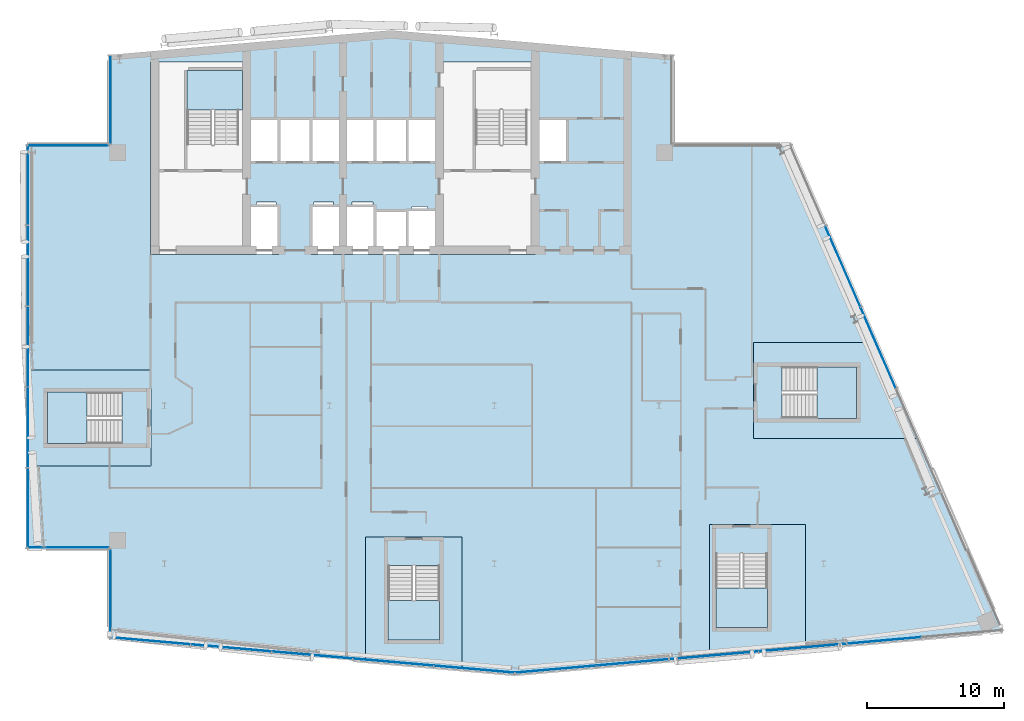
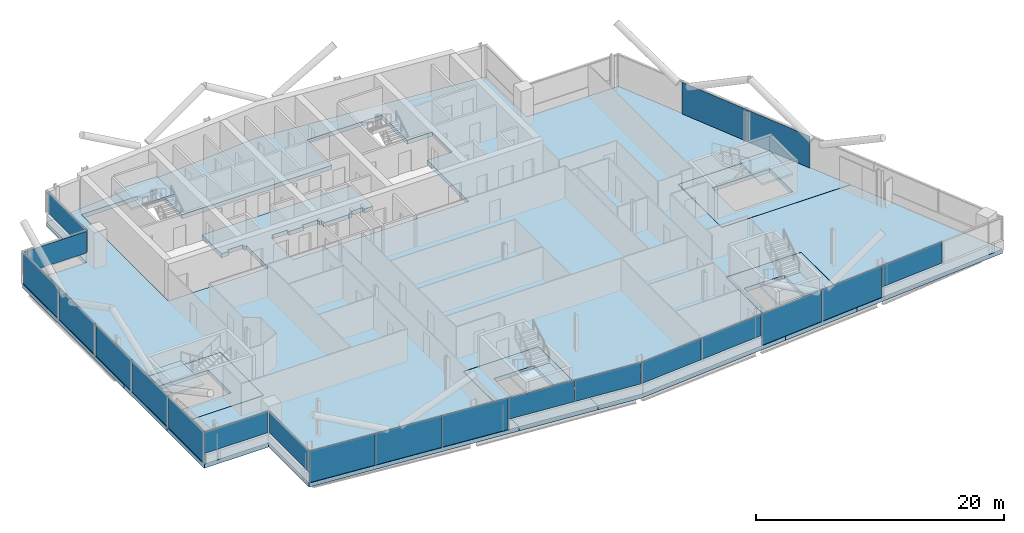
# One storey, part 13 of 27: 21 plates, 10 slabs, 13 elements without a shape of their own.
"""IFC4 building model written with IfcOpenShell, lengths in metres."""

from ifc_helpers import new_model, si_unit, direction, frame, origin, origin_2d, place, context, subcontext, project, spatial, polyline, rectangle, outline, extrude, material, layer, layer_set, type_object, element, aggregate, save


model = new_model("IFC4")

# Units and contexts
model_context = context("Model", 3, precision=1e-05, world=origin(), true_north=direction((0.0, 1.0)))
body_context = subcontext(model_context, "Body", "Model", "MODEL_VIEW")
ifc_project = project(units=[si_unit("LENGTHUNIT", "METRE"), si_unit("AREAUNIT", "SQUARE_METRE"), si_unit("VOLUMEUNIT", "CUBIC_METRE"), si_unit("PLANEANGLEUNIT", "RADIAN"), si_unit("MASSUNIT", "GRAM", prefix="KILO")], contexts=[model_context])

# Site, building, storey
site_placement = place(None, origin())
site = spatial("IfcSite", under=ifc_project, at=site_placement, CompositionType="ELEMENT")
building_placement = place(site_placement, origin())
building = spatial("IfcBuilding", under=site, at=building_placement, Name="Wharfspan Tower", CompositionType="ELEMENT")
storey_placement = place(building_placement, frame((0.0, 0.0, 228.699951)))
storey = spatial("IfcBuildingStorey", under=building, at=storey_placement, Name="L57", CompositionType="ELEMENT", Elevation=228.699951)

# Curtain wall, plates
ifc_material_1 = material(Name="Aluminium 6063-T6", Category="aluminium")
curtain_wall_type_1 = type_object("IfcCurtainWallType", Name="CURTAIN WALL FACETED FRONT", PredefinedType="NOTDEFINED", material=ifc_material_1)
curtain_wall_1_placement = place(storey_placement, origin())
curtain_wall_1 = element("IfcCurtainWall", 1, at=curtain_wall_1_placement, inside=storey, type_object=curtain_wall_type_1, Name="Curtain wall S1", PredefinedType="NOTDEFINED")
ifc_material_2 = material(Name="Glass clear low-iron double glazing", Category="glass")
ifc_layer_1 = layer(ifc_material_2, 0.040039)
ifc_layer_set_1 = layer_set([ifc_layer_1], Name="Glass clear low-iron double glazing")
plate_type_1 = type_object("IfcPlateType", Name="GLASS PANEL FACETED FRONT 40", PredefinedType="CURTAIN_PANEL", material=ifc_layer_set_1)
plate_1_placement = place(storey_placement, frame((40.655273, 4.328125, 1.0), z_axis=(0.0, 0.0, 1.0), x_axis=(0.996197, -0.087156, 0.0)))
plate_1 = element("IfcPlate", 2, at=plate_1_placement, type_object=plate_type_1, Name="Curtain wall S1 panel 4", PredefinedType="CURTAIN_PANEL", context=body_context, shape_type="SweptSolid", body=[
    extrude(rectangle(XDim=5.862549, YDim=0.040039, at=origin_2d()), origin(), (0.0, 0.0, 1.0), 2.120117),
])
plate_2_placement = place(storey_placement, frame((46.540283, 3.813232, 1.0), z_axis=(0.0, 0.0, 1.0), x_axis=(0.996197, -0.087156, 0.0)))
plate_2 = element("IfcPlate", 3, at=plate_2_placement, type_object=plate_type_1, Name="Curtain wall S1 panel 5", PredefinedType="CURTAIN_PANEL", context=body_context, shape_type="SweptSolid", body=[
    extrude(rectangle(XDim=5.83252, YDim=0.040039, at=origin_2d()), origin(), (0.0, 0.0, 1.0), 2.120117),
])

curtain_wall_2_placement = place(storey_placement, origin())
curtain_wall_2 = element("IfcCurtainWall", 4, at=curtain_wall_2_placement, inside=storey, type_object=curtain_wall_type_1, Name="Curtain wall S2", PredefinedType="NOTDEFINED")
plate_3_placement = place(storey_placement, frame((52.468018, 3.813965, 1.0), z_axis=(0.0, 0.0, 1.0), x_axis=(0.996197, 0.087156, 0.0)))
plate_3 = element("IfcPlate", 5, at=plate_3_placement, type_object=plate_type_1, Name="Curtain wall S2 panel 1", PredefinedType="CURTAIN_PANEL", context=body_context, shape_type="SweptSolid", body=[
    extrude(rectangle(XDim=5.849365, YDim=0.040039, at=origin_2d()), origin(), (0.0, 0.0, 1.0), 2.120117),
])
plate_4_placement = place(storey_placement, frame((58.369873, 4.330322, 1.0), z_axis=(0.0, 0.0, 1.0), x_axis=(0.996197, 0.087156, 0.0)))
plate_4 = element("IfcPlate", 6, at=plate_4_placement, type_object=plate_type_1, Name="Curtain wall S2 panel 2", PredefinedType="CURTAIN_PANEL", context=body_context, shape_type="SweptSolid", body=[
    extrude(rectangle(XDim=5.87915, YDim=0.040039, at=origin_2d()), origin(), (0.0, 0.0, 1.0), 2.120117),
])
plate_5_placement = place(storey_placement, frame((76.119873, 5.883301, 1.0), z_axis=(0.0, 0.0, 1.0), x_axis=(0.996197, 0.087156, 0.0)))
plate_5 = element("IfcPlate", 7, at=plate_5_placement, type_object=plate_type_1, Name="Curtain wall S2 panel 5", PredefinedType="CURTAIN_PANEL", context=body_context, shape_type="SweptSolid", body=[
    extrude(rectangle(XDim=5.87915, YDim=0.040039, at=origin_2d()), origin(), (0.0, 0.0, 1.0), 2.120117),
])

# Curtain wall, plate
curtain_wall_type_2 = type_object("IfcCurtainWallType", Name="CURTAIN WALL PROW AND END", PredefinedType="NOTDEFINED", material=ifc_material_1)
curtain_wall_3_placement = place(storey_placement, origin())
curtain_wall_3 = element("IfcCurtainWall", 8, at=curtain_wall_3_placement, inside=storey, type_object=curtain_wall_type_2, Name="Curtain wall NRW-V", PredefinedType="NOTDEFINED")
ifc_layer_2 = layer(ifc_material_2, 0.040039)
ifc_layer_set_2 = layer_set([ifc_layer_2], Name="Glass clear low-iron double glazing")
plate_type_2 = type_object("IfcPlateType", Name="GLASS PANEL PROW AND END 40", PredefinedType="CURTAIN_PANEL", material=ifc_layer_set_2)
plate_6_placement = place(storey_placement, frame((20.080078, 45.262451, 1.0), z_axis=(0.0, 0.0, 1.0), x_axis=(0.0, -1.0, 0.0)))
plate_6 = element("IfcPlate", 9, at=plate_6_placement, type_object=plate_type_2, Name="Curtain wall NRW-V panel 1", PredefinedType="CURTAIN_PANEL", context=body_context, shape_type="SweptSolid", body=[
    extrude(rectangle(XDim=6.405029, YDim=0.040039, at=origin_2d()), origin(), (0.0, 0.0, 1.0), 2.120117),
])
aggregate(curtain_wall_3, [plate_6])

curtain_wall_4_placement = place(storey_placement, origin())
curtain_wall_4 = element("IfcCurtainWall", 10, at=curtain_wall_4_placement, inside=storey, type_object=curtain_wall_type_2, Name="Curtain wall NRW-H", PredefinedType="NOTDEFINED")
plate_7_placement = place(storey_placement, frame((17.0, 41.919922, 1.0), z_axis=(0.0, 0.0, 1.0), x_axis=(-1.0, 0.0, 0.0)))
plate_7 = element("IfcPlate", 11, at=plate_7_placement, type_object=plate_type_2, Name="Curtain wall NRW-H panel 1", PredefinedType="CURTAIN_PANEL", context=body_context, shape_type="SweptSolid", body=[
    extrude(rectangle(XDim=5.879883, YDim=0.040039, at=origin_2d()), origin(), (0.0, 0.0, 1.0), 2.120117),
])
aggregate(curtain_wall_4, [plate_7])

curtain_wall_5_placement = place(storey_placement, origin())
curtain_wall_5 = element("IfcCurtainWall", 12, at=curtain_wall_5_placement, inside=storey, type_object=curtain_wall_type_2, Name="Curtain wall NFW-H", PredefinedType="NOTDEFINED")
plate_8_placement = place(storey_placement, frame((17.0, 12.679932, 1.0), z_axis=(0.0, 0.0, 1.0), x_axis=(1.0, 0.0, 0.0)))
plate_8 = element("IfcPlate", 13, at=plate_8_placement, type_object=plate_type_2, Name="Curtain wall NFW-H panel 1", PredefinedType="CURTAIN_PANEL", context=body_context, shape_type="SweptSolid", body=[
    extrude(rectangle(XDim=5.879883, YDim=0.040039, at=origin_2d()), origin(), (0.0, 0.0, 1.0), 2.120117),
])
aggregate(curtain_wall_5, [plate_8])

curtain_wall_6_placement = place(storey_placement, origin())
curtain_wall_6 = element("IfcCurtainWall", 14, at=curtain_wall_6_placement, inside=storey, type_object=curtain_wall_type_2, Name="Curtain wall NFW-V", PredefinedType="NOTDEFINED")
plate_9_placement = place(storey_placement, frame((20.080078, 9.337646, 1.0), z_axis=(0.0, 0.0, 1.0), x_axis=(0.0, -1.0, 0.0)))
plate_9 = element("IfcPlate", 15, at=plate_9_placement, type_object=plate_type_2, Name="Curtain wall NFW-V panel 1", PredefinedType="CURTAIN_PANEL", context=body_context, shape_type="SweptSolid", body=[
    extrude(rectangle(XDim=6.405029, YDim=0.040039, at=origin_2d()), origin(), (0.0, 0.0, 1.0), 2.120117),
])
aggregate(curtain_wall_6, [plate_9])

# Plate
ifc_material_3 = material(Name="Aluminium composite opaque insulated panel", Category="aluminium")
ifc_layer_3 = layer(ifc_material_3, 0.040039)
ifc_layer_set_3 = layer_set([ifc_layer_3], Name="Aluminium composite opaque insulated panel")
plate_type_3 = type_object("IfcPlateType", Name="INFILL PANEL FACETED FRONT OPAQUE 40", PredefinedType="SHEET", material=ifc_layer_set_3)
plate_10_placement = place(storey_placement, frame((22.970215, 5.875488, 0.0), z_axis=(0.0, 0.0, 1.0), x_axis=(0.996197, -0.087156, 0.0)))
plate_10 = element("IfcPlate", 16, at=plate_10_placement, type_object=plate_type_3, Name="Curtain wall S1 panel 1", PredefinedType="SHEET", context=body_context, shape_type="SweptSolid", body=[
    extrude(rectangle(XDim=5.83252, YDim=0.040039, at=origin_2d()), origin(), (0.0, 0.0, 1.0), 3.120117),
])

plate_11_placement = place(storey_placement, frame((28.855225, 5.360596, 0.0), z_axis=(0.0, 0.0, 1.0), x_axis=(0.996197, -0.087156, 0.0)))
plate_11 = element("IfcPlate", 17, at=plate_11_placement, type_object=plate_type_3, Name="Curtain wall S1 panel 2", PredefinedType="SHEET", context=body_context, shape_type="SweptSolid", body=[
    extrude(rectangle(XDim=5.862549, YDim=0.040039, at=origin_2d()), origin(), (0.0, 0.0, 1.0), 3.120117),
])

plate_12_placement = place(storey_placement, frame((34.755127, 4.844482, 0.0), z_axis=(0.0, 0.0, 1.0), x_axis=(0.996197, -0.087156, 0.0)))
plate_12 = element("IfcPlate", 18, at=plate_12_placement, type_object=plate_type_3, Name="Curtain wall S1 panel 3", PredefinedType="SHEET", context=body_context, shape_type="SweptSolid", body=[
    extrude(rectangle(XDim=5.862549, YDim=0.040039, at=origin_2d()), origin(), (0.0, 0.0, 1.0), 3.120117),
])

aggregate(curtain_wall_1, [plate_10, plate_11, plate_12, plate_1, plate_2])

plate_13_placement = place(storey_placement, frame((64.286377, 4.848145, 0.0), z_axis=(0.0, 0.0, 1.0), x_axis=(0.996197, 0.087156, 0.0)))
plate_13 = element("IfcPlate", 19, at=plate_13_placement, type_object=plate_type_3, Name="Curtain wall S2 panel 3", PredefinedType="SHEET", context=body_context, shape_type="SweptSolid", body=[
    extrude(rectangle(XDim=5.87915, YDim=0.040039, at=origin_2d()), origin(), (0.0, 0.0, 1.0), 3.120117),
])

plate_14_placement = place(storey_placement, frame((70.203125, 5.365723, 0.0), z_axis=(0.0, 0.0, 1.0), x_axis=(0.996197, 0.087156, 0.0)))
plate_14 = element("IfcPlate", 20, at=plate_14_placement, type_object=plate_type_3, Name="Curtain wall S2 panel 4", PredefinedType="SHEET", context=body_context, shape_type="SweptSolid", body=[
    extrude(rectangle(XDim=5.87915, YDim=0.040039, at=origin_2d()), origin(), (0.0, 0.0, 1.0), 3.120117),
])

aggregate(curtain_wall_2, [plate_3, plate_4, plate_13, plate_14, plate_5])

# Curtain wall, plates
curtain_wall_7_placement = place(storey_placement, origin())
curtain_wall_7 = element("IfcCurtainWall", 21, at=curtain_wall_7_placement, inside=storey, type_object=curtain_wall_type_2, Name="Curtain wall E", PredefinedType="NOTDEFINED")
ifc_layer_4 = layer(ifc_material_3, 0.040039)
ifc_layer_set_4 = layer_set([ifc_layer_4], Name="Aluminium composite opaque insulated panel")
plate_type_4 = type_object("IfcPlateType", Name="INFILL PANEL PROW AND END OPAQUE 40", PredefinedType="SHEET", material=ifc_layer_set_4)
plate_15_placement = place(storey_placement, frame((75.948486, 27.218018, 0.0), z_axis=(0.0, 0.0, 1.0), x_axis=(-0.398727, 0.917072, 0.0)))
plate_15 = element("IfcPlate", 22, at=plate_15_placement, type_object=plate_type_4, Name="Curtain wall E panel 4", PredefinedType="SHEET", context=body_context, shape_type="SweptSolid", body=[
    extrude(rectangle(XDim=6.373535, YDim=0.040039, at=origin_2d()), origin(), (0.0, 0.0, 1.0), 3.120117),
])
plate_16_placement = place(storey_placement, frame((73.383057, 33.118164, 0.0), z_axis=(0.0, 0.0, 1.0), x_axis=(-0.398727, 0.917072, 0.0)))
plate_16 = element("IfcPlate", 23, at=plate_16_placement, type_object=plate_type_4, Name="Curtain wall E panel 5", PredefinedType="SHEET", context=body_context, shape_type="SweptSolid", body=[
    extrude(rectangle(XDim=6.373535, YDim=0.040039, at=origin_2d()), origin(), (0.0, 0.0, 1.0), 3.120117),
])
aggregate(curtain_wall_7, [plate_15, plate_16])

curtain_wall_8_placement = place(storey_placement, origin())
curtain_wall_8 = element("IfcCurtainWall", 24, at=curtain_wall_8_placement, inside=storey, type_object=curtain_wall_type_2, Name="Curtain wall W", PredefinedType="NOTDEFINED")
plate_17_placement = place(storey_placement, frame((14.080078, 39.044922, 0.0), z_axis=(0.0, 0.0, 1.0), x_axis=(0.0, -1.0, 0.0)))
plate_17 = element("IfcPlate", 25, at=plate_17_placement, type_object=plate_type_4, Name="Curtain wall W panel 1", PredefinedType="SHEET", context=body_context, shape_type="SweptSolid", body=[
    extrude(rectangle(XDim=5.790039, YDim=0.040039, at=origin_2d()), origin(), (0.0, 0.0, 1.0), 3.120117),
])
plate_18_placement = place(storey_placement, frame((14.080078, 33.179932, 0.0), z_axis=(0.0, 0.0, 1.0), x_axis=(0.0, -1.0, 0.0)))
plate_18 = element("IfcPlate", 26, at=plate_18_placement, type_object=plate_type_4, Name="Curtain wall W panel 2", PredefinedType="SHEET", context=body_context, shape_type="SweptSolid", body=[
    extrude(rectangle(XDim=5.820068, YDim=0.040039, at=origin_2d()), origin(), (0.0, 0.0, 1.0), 3.120117),
])
plate_19_placement = place(storey_placement, frame((14.080078, 27.300049, 0.0), z_axis=(0.0, 0.0, 1.0), x_axis=(0.0, -1.0, 0.0)))
plate_19 = element("IfcPlate", 27, at=plate_19_placement, type_object=plate_type_4, Name="Curtain wall W panel 3", PredefinedType="SHEET", context=body_context, shape_type="SweptSolid", body=[
    extrude(rectangle(XDim=5.820068, YDim=0.040039, at=origin_2d()), origin(), (0.0, 0.0, 1.0), 3.120117),
])
plate_20_placement = place(storey_placement, frame((14.080078, 21.419922, 0.0), z_axis=(0.0, 0.0, 1.0), x_axis=(0.0, -1.0, 0.0)))
plate_20 = element("IfcPlate", 28, at=plate_20_placement, type_object=plate_type_4, Name="Curtain wall W panel 4", PredefinedType="SHEET", context=body_context, shape_type="SweptSolid", body=[
    extrude(rectangle(XDim=5.820068, YDim=0.040039, at=origin_2d()), origin(), (0.0, 0.0, 1.0), 3.120117),
])
plate_21_placement = place(storey_placement, frame((14.080078, 15.554932, 0.0), z_axis=(0.0, 0.0, 1.0), x_axis=(0.0, -1.0, 0.0)))
plate_21 = element("IfcPlate", 29, at=plate_21_placement, type_object=plate_type_4, Name="Curtain wall W panel 5", PredefinedType="SHEET", context=body_context, shape_type="SweptSolid", body=[
    extrude(rectangle(XDim=5.790039, YDim=0.040039, at=origin_2d()), origin(), (0.0, 0.0, 1.0), 3.120117),
])
aggregate(curtain_wall_8, [plate_17, plate_18, plate_19, plate_20, plate_21])

# Slabs
ifc_material_4 = material(Name="Concrete C40/50", Category="concrete")
ifc_layer_5 = layer(ifc_material_4, 0.399902)
ifc_layer_set_5 = layer_set([ifc_layer_5], Name="Concrete C40/50")
slab_type_1 = type_object("IfcSlabType", Name="Post-tensioned flat slab 400", PredefinedType="FLOOR", material=ifc_layer_set_5)
slab_1_placement = place(storey_placement, frame((0.0, 0.0, -0.400146)))
element("IfcSlab", 30, at=slab_1_placement, inside=storey, type_object=slab_type_1, Name="Floor slab L57", PredefinedType="FLOOR", context=body_context, shape_type="SweptSolid", body=[
    extrude(outline(polyline([(38.64209, 4.444092), (38.64209, 13.453125), (45.662109, 13.453125), (45.662109, 3.829834), (49.5, 3.494141), (63.658691, 4.73291), (63.658691, 14.356201), (70.678711, 14.356201), (70.678711, 5.347168), (85.0, 6.600098), (78.91748, 20.590088), (66.859619, 20.590088), (66.859619, 27.610107), (75.865234, 27.610107), (69.608643, 42.0), (61.0, 42.0), (61.0, 48.524902), (40.5, 50.318359), (20.0, 48.524902), (20.0, 42.0), (14.0, 42.0), (14.0, 25.610107), (23.01001, 25.610107), (23.01001, 18.590088), (14.0, 18.590088), (14.0, 12.600098), (20.0, 12.600098), (20.0, 6.075195), (38.64209, 4.444092)]), holes=[polyline([(32.126709, 37.560059), (32.343262, 37.560059), (32.343262, 33.98999), (22.98999, 33.98999), (22.98999, 48.01001), (30.01001, 48.01001), (30.01001, 43.909912), (43.98999, 43.909912), (43.98999, 48.01001), (51.01001, 48.01001), (51.01001, 43.909912), (53.343262, 43.909912), (53.343262, 40.689941), (51.01001, 40.689941), (51.01001, 33.98999), (34.656738, 33.98999), (34.656738, 37.560059), (34.873291, 37.560059), (34.873291, 37.810059), (36.293213, 37.810059), (36.293213, 37.560059), (37.666748, 37.560059), (37.666748, 37.810059), (39.166748, 37.810059), (39.166748, 37.560059), (39.343262, 37.560059), (39.343262, 37.209961), (41.656738, 37.209961), (41.656738, 37.26001), (42.023193, 37.26001), (42.023193, 37.51001), (43.143311, 37.51001), (43.143311, 37.26001), (43.98999, 37.26001), (43.98999, 40.689941), (30.01001, 40.689941), (30.01001, 37.560059), (30.706787, 37.560059), (30.706787, 37.810059), (32.126709, 37.810059), (32.126709, 37.560059)])]), origin(), (0.0, 0.0, 1.0), 0.400146),
])
slab_2_placement = place(storey_placement, frame((0.0, 0.0, -0.400146)))
element("IfcSlab", 31, at=slab_2_placement, inside=storey, type_object=slab_type_1, Name="Core floor slab L57 part 1", PredefinedType="FLOOR", context=body_context, shape_type="SweptSolid", body=[
    extrude(outline(polyline([(23.0, 19.925049), (23.0, 24.274902), (23.0, 25.600098), (14.0, 25.600098), (14.0, 18.600098), (23.0, 18.600098), (23.0, 19.925049)]), holes=[polyline([(20.899902, 23.977051), (20.900146, 23.977051), (20.900391, 23.977051), (20.900635, 23.976807), (20.900879, 23.976807), (20.900879, 23.976807), (20.901123, 23.976807), (20.901367, 23.976562), (20.901367, 23.976318), (20.901611, 23.976318), (20.901611, 23.976074), (20.901855, 23.97583), (20.901855, 23.97583), (20.901855, 23.975586), (20.9021, 23.975342), (20.9021, 23.975098), (20.9021, 23.975098), (20.9021, 20.225098), (20.9021, 20.224854), (20.9021, 20.224609), (20.901855, 20.224365), (20.901855, 20.224121), (20.901855, 20.224121), (20.901611, 20.223877), (20.901611, 20.223633), (20.901367, 20.223633), (20.901367, 20.223389), (20.901123, 20.223389), (20.900879, 20.223145), (20.900879, 20.223145), (20.900635, 20.223145), (20.900391, 20.2229), (20.900146, 20.2229), (20.899902, 20.2229), (15.5, 20.2229), (15.499756, 20.2229), (15.499512, 20.2229), (15.499512, 20.223145), (15.499268, 20.223145), (15.499023, 20.223145), (15.498779, 20.223389), (15.498779, 20.223389), (15.498535, 20.223633), (15.498535, 20.223633), (15.498291, 20.223877), (15.498291, 20.224121), (15.498291, 20.224121), (15.498047, 20.224365), (15.498047, 20.224609), (15.498047, 20.224854), (15.498047, 20.225098), (15.498047, 23.975098), (15.498047, 23.975098), (15.498047, 23.975342), (15.498047, 23.975586), (15.498291, 23.97583), (15.498291, 23.97583), (15.498291, 23.976074), (15.498535, 23.976318), (15.498535, 23.976318), (15.498779, 23.976562), (15.498779, 23.976807), (15.499023, 23.976807), (15.499268, 23.976807), (15.499512, 23.976807), (15.499512, 23.977051), (15.499756, 23.977051), (15.5, 23.977051), (20.899902, 23.977051)])]), origin(), (0.0, 0.0, 1.0), 0.400146),
])
slab_3_placement = place(storey_placement, frame((0.0, 0.0, -0.400146)))
element("IfcSlab", 32, at=slab_3_placement, inside=storey, type_object=slab_type_1, Name="Core floor slab L57 part 3", PredefinedType="FLOOR", context=body_context, shape_type="SweptSolid", body=[
    extrude(outline(polyline([(44.327148, 13.443115), (39.977051, 13.443115), (38.6521, 13.443115), (38.6521, 4.443115), (45.6521, 3.830811), (45.6521, 13.443115), (44.327148, 13.443115)]), holes=[polyline([(40.275146, 11.343262), (40.275146, 11.343506), (40.275146, 11.343506), (40.275146, 11.34375), (40.275391, 11.343994), (40.275391, 11.344238), (40.275391, 11.344238), (40.275635, 11.344482), (40.275635, 11.344482), (40.275879, 11.344727), (40.275879, 11.344971), (40.276123, 11.344971), (40.276367, 11.345215), (40.276611, 11.345215), (40.276611, 11.345215), (40.276855, 11.345215), (40.2771, 11.345215), (44.0271, 11.345215), (44.027344, 11.345215), (44.027588, 11.345215), (44.027588, 11.345215), (44.027832, 11.345215), (44.028076, 11.344971), (44.02832, 11.344971), (44.02832, 11.344727), (44.028564, 11.344482), (44.028809, 11.344482), (44.028809, 11.344238), (44.028809, 11.344238), (44.029053, 11.343994), (44.029053, 11.34375), (44.029053, 11.343506), (44.029053, 11.343506), (44.029053, 11.343262), (44.029053, 5.943115), (44.029053, 5.943115), (44.029053, 5.942871), (44.029053, 5.942627), (44.029053, 5.942383), (44.028809, 5.942383), (44.028809, 5.942139), (44.028809, 5.941895), (44.028564, 5.941895), (44.02832, 5.94165), (44.02832, 5.94165), (44.028076, 5.941406), (44.027832, 5.941406), (44.027588, 5.941406), (44.027588, 5.941406), (44.027344, 5.941162), (44.0271, 5.941162), (40.2771, 5.941162), (40.276855, 5.941162), (40.276611, 5.941406), (40.276611, 5.941406), (40.276367, 5.941406), (40.276123, 5.941406), (40.275879, 5.94165), (40.275879, 5.94165), (40.275635, 5.941895), (40.275635, 5.941895), (40.275391, 5.942139), (40.275391, 5.942383), (40.275391, 5.942383), (40.275146, 5.942627), (40.275146, 5.942871), (40.275146, 5.943115), (40.275146, 5.943115), (40.275146, 11.343262)])]), origin(), (0.0, 0.0, 1.0), 0.400146),
])
slab_4_placement = place(storey_placement, frame((0.0, 0.0, -0.400146)))
element("IfcSlab", 33, at=slab_4_placement, inside=storey, type_object=slab_type_1, Name="Core floor slab L57 part 4", PredefinedType="FLOOR", context=body_context, shape_type="SweptSolid", body=[
    extrude(outline(polyline([(70.668701, 14.346191), (68.193848, 14.346191), (63.84375, 14.346191), (63.668701, 14.346191), (63.668701, 4.733887), (70.668701, 5.346191), (70.668701, 14.346191)]), holes=[polyline([(64.141846, 12.246094), (64.141846, 12.246338), (64.141846, 12.246582), (64.141846, 12.246826), (64.14209, 12.246826), (64.14209, 12.24707), (64.14209, 12.247314), (64.142334, 12.247559), (64.142334, 12.247559), (64.142578, 12.247803), (64.142578, 12.247803), (64.142822, 12.247803), (64.143066, 12.248047), (64.143311, 12.248047), (64.143311, 12.248047), (64.143555, 12.248291), (64.143799, 12.248291), (67.893799, 12.248291), (67.894043, 12.248291), (67.894287, 12.248047), (67.894287, 12.248047), (67.894531, 12.248047), (67.894775, 12.247803), (67.89502, 12.247803), (67.89502, 12.247803), (67.895264, 12.247559), (67.895508, 12.247559), (67.895508, 12.247314), (67.895508, 12.24707), (67.895752, 12.246826), (67.895752, 12.246826), (67.895752, 12.246582), (67.895752, 12.246338), (67.895752, 12.246094), (67.895752, 6.846191), (67.895752, 6.845947), (67.895752, 6.845703), (67.895752, 6.845703), (67.895752, 6.845459), (67.895508, 6.845215), (67.895508, 6.845215), (67.895508, 6.844971), (67.895264, 6.844727), (67.89502, 6.844482), (67.89502, 6.844482), (67.894775, 6.844482), (67.894531, 6.844238), (67.894287, 6.844238), (67.894287, 6.844238), (67.894043, 6.844238), (67.893799, 6.844238), (64.143799, 6.844238), (64.143555, 6.844238), (64.143311, 6.844238), (64.143311, 6.844238), (64.143066, 6.844238), (64.142822, 6.844482), (64.142578, 6.844482), (64.142578, 6.844482), (64.142334, 6.844727), (64.142334, 6.844971), (64.14209, 6.845215), (64.14209, 6.845215), (64.14209, 6.845459), (64.141846, 6.845703), (64.141846, 6.845703), (64.141846, 6.845947), (64.141846, 6.846191), (64.141846, 12.246094)])]), origin(), (0.0, 0.0, 1.0), 0.400146),
])
slab_5_placement = place(storey_placement, frame((0.0, 0.0, -0.400146)))
element("IfcSlab", 34, at=slab_5_placement, inside=storey, type_object=slab_type_1, Name="Core floor slab L57 part 5", PredefinedType="FLOOR", context=body_context, shape_type="SweptSolid", body=[
    extrude(outline(polyline([(75.869629, 27.600098), (66.869629, 27.600098), (66.869629, 26.125), (66.869629, 21.774902), (66.869629, 20.600098), (78.913086, 20.600098), (75.869629, 27.600098)]), holes=[polyline([(68.967529, 25.824951), (68.967529, 25.825195), (68.967529, 25.825439), (68.967773, 25.825684), (68.967773, 25.825684), (68.967773, 25.825928), (68.968018, 25.826172), (68.968018, 25.826416), (68.968262, 25.826416), (68.968262, 25.826416), (68.968506, 25.82666), (68.968506, 25.826904), (68.96875, 25.826904), (68.968994, 25.826904), (68.969238, 25.826904), (68.969482, 25.826904), (68.969482, 25.826904), (74.369629, 25.826904), (74.369873, 25.826904), (74.370117, 25.826904), (74.370117, 25.826904), (74.370361, 25.826904), (74.370605, 25.826904), (74.370605, 25.82666), (74.37085, 25.826416), (74.371094, 25.826416), (74.371094, 25.826416), (74.371094, 25.826172), (74.371338, 25.825928), (74.371338, 25.825684), (74.371582, 25.825684), (74.371582, 25.825439), (74.371582, 25.825195), (74.371582, 25.824951), (74.371582, 22.074951), (74.371582, 22.074707), (74.371582, 22.074707), (74.371582, 22.074463), (74.371338, 22.074219), (74.371338, 22.074219), (74.371094, 22.073975), (74.371094, 22.07373), (74.371094, 22.073486), (74.37085, 22.073486), (74.370605, 22.073242), (74.370605, 22.073242), (74.370361, 22.073242), (74.370117, 22.072998), (74.370117, 22.072998), (74.369873, 22.072998), (74.369629, 22.072998), (68.969482, 22.072998), (68.969482, 22.072998), (68.969238, 22.072998), (68.968994, 22.072998), (68.96875, 22.073242), (68.968506, 22.073242), (68.968506, 22.073242), (68.968262, 22.073486), (68.968262, 22.073486), (68.968018, 22.07373), (68.968018, 22.073975), (68.967773, 22.074219), (68.967773, 22.074219), (68.967773, 22.074463), (68.967529, 22.074707), (68.967529, 22.074707), (68.967529, 22.074951), (68.967529, 25.824951)])]), origin(), (0.0, 0.0, 1.0), 0.400146),
])

# Stair, slab
stair_type = type_object("IfcStairType", Name="Half-turn stair 20 risers 180 mm", PredefinedType="HALF_TURN_STAIR", material=ifc_material_4)
stair_1_placement = place(storey_placement, origin())
stair_1 = element("IfcStair", 35, at=stair_1_placement, inside=storey, type_object=stair_type, Name="L57 stair ST1", PredefinedType="HALF_TURN_STAIR")
ifc_layer_6 = layer(ifc_material_4, 0.199951)
ifc_layer_set_6 = layer_set([ifc_layer_6], Name="Concrete C40/50")
slab_type_2 = type_object("IfcSlabType", Name="Stair landing 200", PredefinedType="LANDING", material=ifc_layer_set_6)
slab_6_placement = place(storey_placement, frame((0.0, 0.0, 1.599854)))
slab_6 = element("IfcSlab", 36, at=slab_6_placement, type_object=slab_type_2, Name="ST1 landing 1", PredefinedType="LANDING", context=body_context, shape_type="SweptSolid", body=[
    extrude(outline(polyline([(25.649902, 44.52002), (29.699951, 44.52002), (29.699951, 47.399902), (25.649902, 47.399902), (25.649902, 44.52002)])), origin(), (0.0, 0.0, 1.0), 0.200195),
])
aggregate(stair_1, [slab_6])

stair_2_placement = place(storey_placement, origin())
stair_2 = element("IfcStair", 37, at=stair_2_placement, inside=storey, type_object=stair_type, Name="L57 stair ST3", PredefinedType="HALF_TURN_STAIR")
slab_7_placement = place(storey_placement, frame((0.0, 0.0, 1.599854)))
slab_7 = element("IfcSlab", 38, at=slab_7_placement, type_object=slab_type_2, Name="ST3 landing 1", PredefinedType="LANDING", context=body_context, shape_type="SweptSolid", body=[
    extrude(outline(polyline([(18.379883, 23.975098), (15.5, 23.975098), (15.5, 20.225098), (18.379883, 20.225098), (18.379883, 23.975098)])), origin(), (0.0, 0.0, 1.0), 0.200195),
])
aggregate(stair_2, [slab_7])

stair_3_placement = place(storey_placement, origin())
stair_3 = element("IfcStair", 39, at=stair_3_placement, inside=storey, type_object=stair_type, Name="L57 stair ST4", PredefinedType="HALF_TURN_STAIR")
slab_8_placement = place(storey_placement, frame((0.0, 0.0, 1.599854)))
slab_8 = element("IfcSlab", 40, at=slab_8_placement, type_object=slab_type_2, Name="ST4 landing 1", PredefinedType="LANDING", context=body_context, shape_type="SweptSolid", body=[
    extrude(outline(polyline([(40.2771, 8.823242), (40.2771, 5.943115), (44.0271, 5.943115), (44.0271, 8.823242), (40.2771, 8.823242)])), origin(), (0.0, 0.0, 1.0), 0.200195),
])
aggregate(stair_3, [slab_8])

stair_4_placement = place(storey_placement, origin())
stair_4 = element("IfcStair", 41, at=stair_4_placement, inside=storey, type_object=stair_type, Name="L57 stair ST5", PredefinedType="HALF_TURN_STAIR")
slab_9_placement = place(storey_placement, frame((0.0, 0.0, 1.599854)))
slab_9 = element("IfcSlab", 42, at=slab_9_placement, type_object=slab_type_2, Name="ST5 landing 1", PredefinedType="LANDING", context=body_context, shape_type="SweptSolid", body=[
    extrude(outline(polyline([(64.143799, 9.726074), (64.143799, 6.846191), (67.893799, 6.846191), (67.893799, 9.726074), (64.143799, 9.726074)])), origin(), (0.0, 0.0, 1.0), 0.200195),
])
aggregate(stair_4, [slab_9])

stair_5_placement = place(storey_placement, origin())
stair_5 = element("IfcStair", 43, at=stair_5_placement, inside=storey, type_object=stair_type, Name="L57 stair ST6", PredefinedType="HALF_TURN_STAIR")
slab_10_placement = place(storey_placement, frame((0.0, 0.0, 1.599854)))
slab_10 = element("IfcSlab", 44, at=slab_10_placement, type_object=slab_type_2, Name="ST6 landing 1", PredefinedType="LANDING", context=body_context, shape_type="SweptSolid", body=[
    extrude(outline(polyline([(71.489502, 22.074951), (74.369629, 22.074951), (74.369629, 25.824951), (71.489502, 25.824951), (71.489502, 22.074951)])), origin(), (0.0, 0.0, 1.0), 0.200195),
])
aggregate(stair_5, [slab_10])

save(model, "model.ifc")
